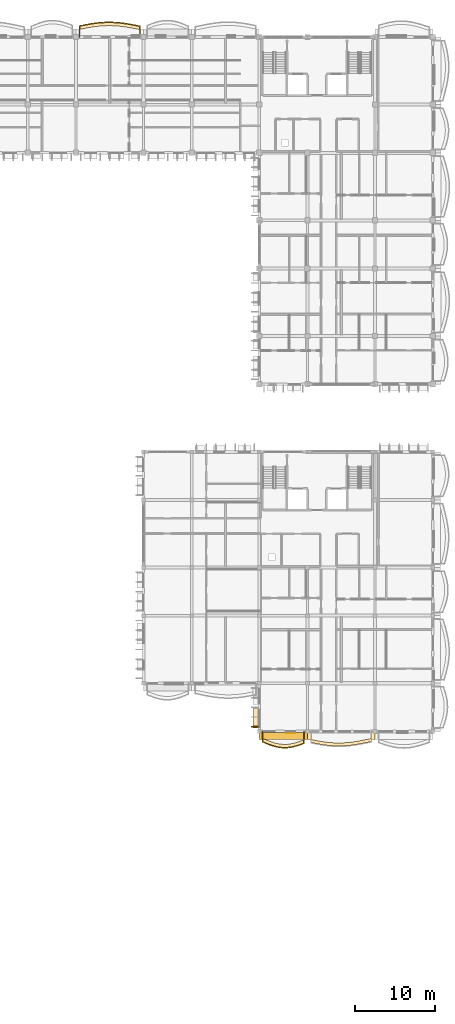
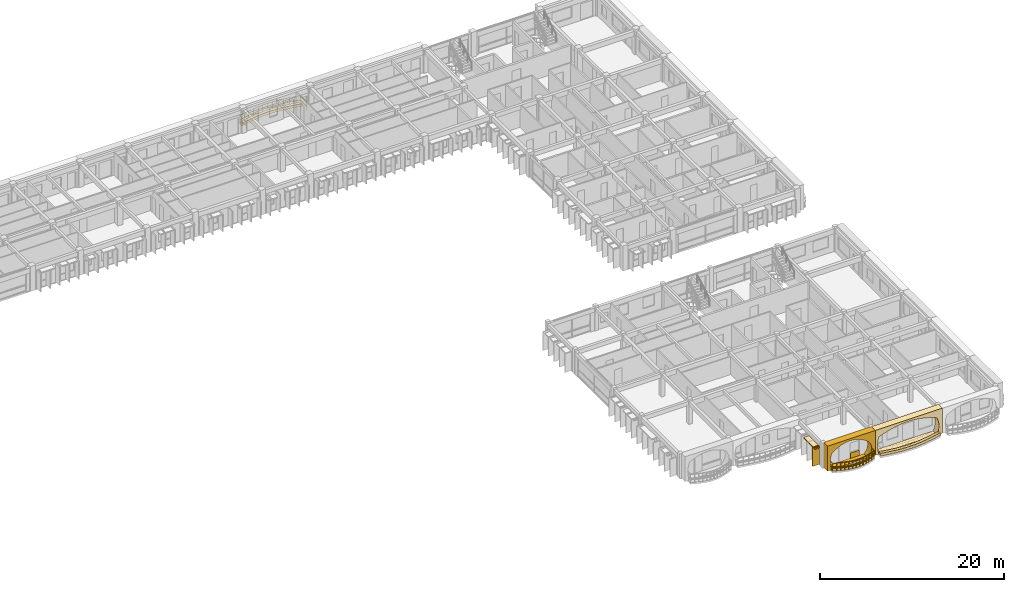
# One storey, part 65 of 76: 8 coverings, 2 railings.
"""IFC4 building model written with IfcOpenShell, lengths in metres."""

from ifc_helpers import new_model, si_unit, direction, frame, origin, origin_2d, place, context, subcontext, project, spatial, polyline, rectangle, outline, extrude, material, layer, layer_set, type_object, element, save


model = new_model("IFC4")

# Units and contexts
model_context = context("Model", 3, precision=1e-05, world=origin(), true_north=direction((0.0, 1.0)))
body_context = subcontext(model_context, "Body", "Model", "MODEL_VIEW")
ifc_project = project(units=[si_unit("LENGTHUNIT", "METRE"), si_unit("AREAUNIT", "SQUARE_METRE"), si_unit("VOLUMEUNIT", "CUBIC_METRE"), si_unit("PLANEANGLEUNIT", "RADIAN"), si_unit("MASSUNIT", "GRAM", prefix="KILO"), si_unit("THERMODYNAMICTEMPERATUREUNIT", "KELVIN")], contexts=[model_context])

# Site, building, storey
site_placement = place(None, origin())
site = spatial("IfcSite", under=ifc_project, at=site_placement, CompositionType="ELEMENT")
building_placement = place(site_placement, origin())
building = spatial("IfcBuilding", under=site, at=building_placement, Name="Thalorik Housing Commons", CompositionType="ELEMENT")
storey_placement = place(building_placement, frame((0.0, 0.0, 18.0)))
storey = spatial("IfcBuildingStorey", under=building, at=storey_placement, Name="L05", CompositionType="ELEMENT", Elevation=18.0)

# Coverings
ifc_material_1 = material(Name="Precast concrete C40/50", Category="concrete")
ifc_layer_1 = layer(ifc_material_1, 0.85009765625, Name="Precast concrete C40/50", Category="concrete")
ifc_layer_set_1 = layer_set([ifc_layer_1], Name="Precast concrete C40/50")
covering_type_1 = type_object("IfcCoveringType", Name="ARC-CLD-CUSH-850", PredefinedType="CLADDING", material=ifc_layer_set_1)
covering_1_placement = place(storey_placement, frame((155.39990234375, 36.64501953125, 0.0), z_axis=(0.0, 0.0, 1.0), x_axis=(1.0, 0.0, 0.0)))
element("IfcCovering", 1, at=covering_1_placement, inside=storey, type_object=covering_type_1, Name="L05 White Precast Curved Cushion Bay Frame 4887", PredefinedType="CLADDING", context=body_context, shape_type="SweptSolid", body=[
    extrude(outline(polyline([(-3.0, 0.0), (3.0, 0.0), (3.0, 3.300048828125), (-3.0, 3.300048828125), (-3.0, 0.0)]), holes=[polyline([(2.0400390625, 0.02490234375), (2.3232421875, 0.387451171875), (2.493408203125, 0.75), (2.550048828125, 1.112548828125), (2.493408203125, 1.47509765625), (2.3232421875, 1.83740234375), (2.0400390625, 2.199951171875), (1.66748046875, 2.455810546875), (1.294921875, 2.656494140625), (0.922607421875, 2.819091796875), (0.550048828125, 2.940185546875), (0.177490234375, 3.014892578125), (-0.195068359375, 3.0400390625), (-0.5673828125, 3.014892578125), (-0.93994140625, 2.940185546875), (-1.3125, 2.819091796875), (-1.68505859375, 2.656494140625), (-2.0576171875, 2.455810546875), (-2.429931640625, 2.199951171875), (-2.55029296875, 1.83740234375), (-2.62255859375, 1.47509765625), (-2.646484375, 1.112548828125), (-2.62255859375, 0.75), (-2.55029296875, 0.387451171875), (-2.429931640625, 0.02490234375), (2.0400390625, 0.02490234375)])]), frame((0.0, 0.425048828125, 0.0), z_axis=(0.0, -1.0, 0.0), x_axis=(1.0, 0.0, 0.0)), (0.0, 0.0, 1.0), 0.85009765625),
])
covering_2_placement = place(storey_placement, frame((162.60009765625, 36.64501953125, 0.0), z_axis=(0.0, 0.0, 1.0), x_axis=(1.0, 0.0, 0.0)))
element("IfcCovering", 2, at=covering_2_placement, inside=storey, type_object=covering_type_1, Name="L05 White Precast Curved Cushion Bay Frame 4889", PredefinedType="CLADDING", context=body_context, shape_type="SweptSolid", body=[
    extrude(outline(polyline([(-4.199951171875, 0.0), (4.199951171875, 0.0), (4.199951171875, 3.300048828125), (-4.199951171875, 3.300048828125), (-4.199951171875, 0.0)]), holes=[polyline([(3.510009765625, 0.02490234375), (3.65576171875, 0.399169921875), (3.7431640625, 0.773193359375), (3.772216796875, 1.1474609375), (3.7431640625, 1.521728515625), (3.65576171875, 1.895751953125), (3.510009765625, 2.27001953125), (2.90380859375, 2.50439453125), (2.297607421875, 2.6884765625), (1.691162109375, 2.837646484375), (1.0849609375, 2.948486328125), (0.478759765625, 3.016845703125), (-0.12744140625, 3.0400390625), (-0.73388671875, 3.016845703125), (-1.340087890625, 2.948486328125), (-1.9462890625, 2.837646484375), (-2.552490234375, 2.6884765625), (-3.15869140625, 2.50439453125), (-3.764892578125, 2.27001953125), (-3.856689453125, 1.895751953125), (-3.911865234375, 1.521728515625), (-3.930419921875, 1.1474609375), (-3.911865234375, 0.773193359375), (-3.856689453125, 0.399169921875), (-3.764892578125, 0.02490234375), (3.510009765625, 0.02490234375)])]), frame((0.0, 0.425048828125, 0.0), z_axis=(0.0, -1.0, 0.0), x_axis=(1.0, 0.0, 0.0)), (0.0, 0.0, 1.0), 0.85009765625),
])
ifc_layer_2 = layer(ifc_material_1, 0.85009765625, Name="Precast concrete C40/50", Category="concrete")
ifc_layer_set_2 = layer_set([ifc_layer_2], Name="Precast concrete C40/50")
covering_type_2 = type_object("IfcCoveringType", Name="ARC-CLD-FIN-850", PredefinedType="CLADDING", material=ifc_layer_set_2)
covering_3_placement = place(storey_placement, frame((151.844970703125, 37.800048828125, 0.0400390625), z_axis=(0.0, 0.0, 1.0), x_axis=(0.0, -1.0, 0.0)))
element("IfcCovering", 3, at=covering_3_placement, inside=storey, type_object=covering_type_2, Name="L05 Courtyard Precast Vertical Brise-Soleil Fin 4884", PredefinedType="CLADDING", context=body_context, shape_type="SweptSolid", body=[
    extrude(rectangle(XDim=0.110107421875, YDim=0.85009765625, at=origin_2d()), origin(), (0.0, 0.0, 1.0), 2.4951171875),
])
ifc_layer_3 = layer(ifc_material_1, 0.64990234375, Name="Precast concrete C40/50", Category="concrete")
ifc_layer_set_3 = layer_set([ifc_layer_3], Name="Precast concrete C40/50")
covering_type_3 = type_object("IfcCoveringType", Name="ARC-CLD-HOOD-650", PredefinedType="CLADDING", material=ifc_layer_set_3)
covering_4_placement = place(storey_placement, frame((151.945068359375, 38.830078125, 2.2900390625), z_axis=(0.0, 0.0, 1.0), x_axis=(0.0, -1.0, 0.0)))
element("IfcCovering", 4, at=covering_4_placement, inside=storey, type_object=covering_type_3, Name="L05 Courtyard Precast Window Sun-Hood 4886", PredefinedType="CLADDING", context=body_context, shape_type="SweptSolid", body=[
    extrude(rectangle(XDim=2.43994140625, YDim=0.64990234375, at=origin_2d()), origin(), (0.0, 0.0, 1.0), 0.139892578125),
])
ifc_material_2 = material(Name="Mineral ochre architectural terracotta panel", Category="masonry")
ifc_layer_4 = layer(ifc_material_2, 0.06494140625, Name="Mineral ochre architectural terracotta panel", Category="masonry")
ifc_layer_set_4 = layer_set([ifc_layer_4], Name="Mineral ochre architectural terracotta panel")
covering_type_4 = type_object("IfcCoveringType", Name="ARC-CLD-YEL-65", PredefinedType="CLADDING", material=ifc_layer_set_4)
covering_5_placement = place(storey_placement, frame((156.2900390625, 37.032470703125, 0.0498046875), z_axis=(0.0, 0.0, 1.0), x_axis=(1.0, 0.0, 0.0)))
element("IfcCovering", 5, at=covering_5_placement, inside=storey, type_object=covering_type_4, Name="L05 De Stijl Recessed Window Spandrel 4888", PredefinedType="CLADDING", context=body_context, shape_type="SweptSolid", body=[
    extrude(rectangle(XDim=1.14990234375, YDim=0.06494140625, at=origin_2d()), origin(), (0.0, 0.0, 1.0), 0.699951171875),
])
ifc_material_3 = material(Name="Planted vegetated substrate and terracotta trough", Category="masonry")
ifc_layer_5 = layer(ifc_material_3, 0.340087890625, Name="Planted vegetated substrate and terracotta trough", Category="masonry")
ifc_layer_set_5 = layer_set([ifc_layer_5], Name="Planted vegetated substrate and terracotta trough")
covering_type_5 = type_object("IfcCoveringType", Name="ARC-COV-PLANTER", PredefinedType="USERDEFINED", material=ifc_layer_set_5)
covering_6_placement = place(storey_placement, origin())
element("IfcCovering", 6, at=covering_6_placement, inside=storey, type_object=covering_type_5, Name="L05 Balcony Slab-Edge Planted Trough 5475", ObjectType="PLANTER", PredefinedType="USERDEFINED", context=body_context, shape_type="SweptSolid", body=[
    extrude(outline(polyline([(137.580078125, 124.892822265625), (136.949951171875, 125.01904296875), (136.320068359375, 125.1376953125), (135.68994140625, 125.240234375), (135.06005859375, 125.3203125), (134.429931640625, 125.372314453125), (133.800048828125, 125.39306640625), (133.169921875, 125.380859375), (132.5400390625, 125.33642578125), (131.909912109375, 125.26318359375), (131.280029296875, 125.165283203125), (130.64990234375, 125.049560546875), (130.02001953125, 124.923583984375), (130.02001953125, 124.543701171875), (130.64990234375, 124.669677734375), (131.280029296875, 124.785400390625), (131.909912109375, 124.883056640625), (132.5400390625, 124.95654296875), (133.169921875, 125.000732421875), (133.800048828125, 125.012939453125), (134.429931640625, 124.992431640625), (135.06005859375, 124.940185546875), (135.68994140625, 124.8603515625), (136.320068359375, 124.757568359375), (136.949951171875, 124.63916015625), (137.580078125, 124.5126953125), (137.580078125, 124.892822265625)])), origin(), (0.0, 0.0, 1.0), 0.340087890625),
])
covering_7_placement = place(storey_placement, origin())
element("IfcCovering", 7, at=covering_7_placement, inside=storey, type_object=covering_type_5, Name="L05 Balcony Slab-Edge Planted Trough 5680", ObjectType="PLANTER", PredefinedType="USERDEFINED", context=body_context, shape_type="SweptSolid", body=[
    extrude(outline(polyline([(152.820068359375, 35.955078125), (153.25, 35.77587890625), (153.679931640625, 35.6064453125), (154.110107421875, 35.45751953125), (154.5400390625, 35.338134765625), (154.969970703125, 35.25634765625), (155.39990234375, 35.216552734375), (155.830078125, 35.22119140625), (156.260009765625, 35.26904296875), (156.68994140625, 35.356689453125), (157.1201171875, 35.4775390625), (157.550048828125, 35.62353515625), (157.97998046875, 35.78466796875), (157.97998046875, 36.16455078125), (157.550048828125, 36.003662109375), (157.1201171875, 35.857666015625), (156.68994140625, 35.736572265625), (156.260009765625, 35.64892578125), (155.830078125, 35.60107421875), (155.39990234375, 35.5966796875), (154.969970703125, 35.63623046875), (154.5400390625, 35.71826171875), (154.110107421875, 35.83740234375), (153.679931640625, 35.986328125), (153.25, 36.156005859375), (152.820068359375, 36.3349609375), (152.820068359375, 35.955078125)])), origin(), (0.0, 0.0, 1.0), 0.340087890625),
])
covering_8_placement = place(storey_placement, origin())
element("IfcCovering", 8, at=covering_8_placement, inside=storey, type_object=covering_type_5, Name="L05 Balcony Slab-Edge Planted Trough 5681", ObjectType="PLANTER", PredefinedType="USERDEFINED", context=body_context, shape_type="SweptSolid", body=[
    extrude(outline(polyline([(158.820068359375, 35.83349609375), (159.449951171875, 35.704345703125), (160.080078125, 35.5888671875), (160.7099609375, 35.494384765625), (161.340087890625, 35.427734375), (161.969970703125, 35.392822265625), (162.60009765625, 35.39208984375), (163.22998046875, 35.42529296875), (163.860107421875, 35.489990234375), (164.489990234375, 35.581787109375), (165.1201171875, 35.69482421875), (165.75, 35.821044921875), (166.3798828125, 35.9521484375), (166.3798828125, 36.332275390625), (165.75, 36.201171875), (165.1201171875, 36.07470703125), (164.489990234375, 35.9619140625), (163.860107421875, 35.8701171875), (163.22998046875, 35.80517578125), (162.60009765625, 35.772216796875), (161.969970703125, 35.77294921875), (161.340087890625, 35.807861328125), (160.7099609375, 35.87451171875), (160.080078125, 35.96875), (159.449951171875, 36.08447265625), (158.820068359375, 36.213623046875), (158.820068359375, 35.83349609375)])), origin(), (0.0, 0.0, 1.0), 0.340087890625),
])

# Railings
ifc_material_4 = material(Name="Steel S355", Category="steel")
railing_type_1 = type_object("IfcRailingType", Name="ARC-RL-BAL-112", PredefinedType="BALUSTRADE", material=ifc_material_4)
railing_1_placement = place(storey_placement, frame((152.820068359375, 37.199951171875, 0.0)))
element("IfcRailing", 9, at=railing_1_placement, inside=storey, type_object=railing_type_1, Name="L05 Cushion Balcony Guardrail 364", PredefinedType="BALUSTRADE", context=body_context, shape_type="SweptSolid", body=[
    extrude(rectangle(XDim=0.050048828125, YDim=0.050048828125, at=origin_2d()), frame((0.0, 0.0, 1.09521484375), z_axis=(0.0, -1.0, 0.0), x_axis=(1.0, 0.0, 0.0)), (0.0, 0.0, 1.0), 1.31494140625),
    extrude(rectangle(XDim=0.050048828125, YDim=0.050048828125, at=origin_2d()), frame((0.0, 0.0, 0.53515625), z_axis=(0.0, -1.0, 0.0), x_axis=(1.0, 0.0, 0.0)), (0.0, 0.0, 1.0), 1.31494140625),
    extrude(rectangle(XDim=0.050048828125, YDim=0.050048828125, at=origin_2d()), frame((0.0, -1.31494140625, 1.09521484375), z_axis=(0.923030394022, -0.384727035328, 0.0), x_axis=(0.384727035328, 0.923030394022, 0.0)), (0.0, 0.0, 1.0), 0.4658203125),
    extrude(rectangle(XDim=0.050048828125, YDim=0.050048828125, at=origin_2d()), frame((0.0, -1.31494140625, 0.53515625), z_axis=(0.923030394022, -0.384727035328, 0.0), x_axis=(0.384727035328, 0.923030394022, 0.0)), (0.0, 0.0, 1.0), 0.4658203125),
    extrude(rectangle(XDim=0.050048828125, YDim=0.050048828125, at=origin_2d()), frame((0.429931640625, -1.494140625, 1.09521484375), z_axis=(0.930359248825, -0.366649244, 0.0), x_axis=(0.366649244, 0.930359248825, 0.0)), (0.0, 0.0, 1.0), 0.462158203125),
    extrude(rectangle(XDim=0.050048828125, YDim=0.050048828125, at=origin_2d()), frame((0.429931640625, -1.494140625, 0.53515625), z_axis=(0.930359248825, -0.366649244, 0.0), x_axis=(0.366649244, 0.930359248825, 0.0)), (0.0, 0.0, 1.0), 0.462158203125),
    extrude(rectangle(XDim=0.050048828125, YDim=0.050048828125, at=origin_2d()), frame((0.85986328125, -1.66357421875, 1.09521484375), z_axis=(0.944973320371, -0.327147403761, 0.0), x_axis=(0.327147403761, 0.944973320371, 0.0)), (0.0, 0.0, 1.0), 0.455322265625),
    extrude(rectangle(XDim=0.050048828125, YDim=0.050048828125, at=origin_2d()), frame((0.85986328125, -1.66357421875, 0.53515625), z_axis=(0.944973320371, -0.327147403761, 0.0), x_axis=(0.327147403761, 0.944973320371, 0.0)), (0.0, 0.0, 1.0), 0.455322265625),
    extrude(rectangle(XDim=0.050048828125, YDim=0.050048828125, at=origin_2d()), frame((1.2900390625, -1.8125, 1.09521484375), z_axis=(0.963682368492, -0.267051104954, 0.0), x_axis=(0.267051104954, 0.963682368492, 0.0)), (0.0, 0.0, 1.0), 0.446044921875),
    extrude(rectangle(XDim=0.050048828125, YDim=0.050048828125, at=origin_2d()), frame((1.2900390625, -1.8125, 0.53515625), z_axis=(0.963682368492, -0.267051104954, 0.0), x_axis=(0.267051104954, 0.963682368492, 0.0)), (0.0, 0.0, 1.0), 0.446044921875),
    extrude(rectangle(XDim=0.050048828125, YDim=0.050048828125, at=origin_2d()), frame((1.719970703125, -1.931640625, 1.09521484375), z_axis=(0.98227993131, -0.18741968025, 0.0), x_axis=(0.18741968025, 0.98227993131, 0.0)), (0.0, 0.0, 1.0), 0.437744140625),
    extrude(rectangle(XDim=0.050048828125, YDim=0.050048828125, at=origin_2d()), frame((1.719970703125, -1.931640625, 0.53515625), z_axis=(0.98227993131, -0.18741968025, 0.0), x_axis=(0.18741968025, 0.98227993131, 0.0)), (0.0, 0.0, 1.0), 0.437744140625),
    extrude(rectangle(XDim=0.050048828125, YDim=0.050048828125, at=origin_2d()), frame((2.14990234375, -2.013671875, 1.09521484375), z_axis=(0.995743557497, -0.092167064095, 0.0), x_axis=(0.092167064095, 0.995743557497, 0.0)), (0.0, 0.0, 1.0), 0.431884765625),
    extrude(rectangle(XDim=0.050048828125, YDim=0.050048828125, at=origin_2d()), frame((2.14990234375, -2.013671875, 0.53515625), z_axis=(0.995743557497, -0.092167064095, 0.0), x_axis=(0.092167064095, 0.995743557497, 0.0)), (0.0, 0.0, 1.0), 0.431884765625),
    extrude(rectangle(XDim=0.050048828125, YDim=0.050048828125, at=origin_2d()), frame((2.579833984375, -2.053466796875, 1.09521484375), z_axis=(0.999941866359, 0.010782574041, 0.0), x_axis=(-0.010782574041, 0.999941866359, 0.0)), (0.0, 0.0, 1.0), 0.43017578125),
    extrude(rectangle(XDim=0.050048828125, YDim=0.050048828125, at=origin_2d()), frame((2.579833984375, -2.053466796875, 0.53515625), z_axis=(0.999941866359, 0.010782574041, 0.0), x_axis=(-0.010782574041, 0.999941866359, 0.0)), (0.0, 0.0, 1.0), 0.43017578125),
    extrude(rectangle(XDim=0.050048828125, YDim=0.050048828125, at=origin_2d()), frame((3.010009765625, -2.048828125, 1.09521484375), z_axis=(0.993863069462, 0.110617354693, 0.0), x_axis=(-0.110617354693, 0.993863069462, 0.0)), (0.0, 0.0, 1.0), 0.4326171875),
    extrude(rectangle(XDim=0.050048828125, YDim=0.050048828125, at=origin_2d()), frame((3.010009765625, -2.048828125, 0.53515625), z_axis=(0.993863069462, 0.110617354693, 0.0), x_axis=(-0.110617354693, 0.993863069462, 0.0)), (0.0, 0.0, 1.0), 0.4326171875),
    extrude(rectangle(XDim=0.050048828125, YDim=0.050048828125, at=origin_2d()), frame((3.43994140625, -2.0009765625, 1.09521484375), z_axis=(0.979846307498, 0.19975288154, 0.0), x_axis=(-0.19975288154, 0.979846307498, 0.0)), (0.0, 0.0, 1.0), 0.438720703125),
    extrude(rectangle(XDim=0.050048828125, YDim=0.050048828125, at=origin_2d()), frame((3.43994140625, -2.0009765625, 0.53515625), z_axis=(0.979846307498, 0.19975288154, 0.0), x_axis=(-0.19975288154, 0.979846307498, 0.0)), (0.0, 0.0, 1.0), 0.438720703125),
    extrude(rectangle(XDim=0.050048828125, YDim=0.050048828125, at=origin_2d()), frame((3.869873046875, -1.913330078125, 1.09521484375), z_axis=(0.962588621123, 0.270967057932, 0.0), x_axis=(-0.270967057932, 0.962588621123, 0.0)), (0.0, 0.0, 1.0), 0.44677734375),
    extrude(rectangle(XDim=0.050048828125, YDim=0.050048828125, at=origin_2d()), frame((3.869873046875, -1.913330078125, 0.53515625), z_axis=(0.962588621123, 0.270967057932, 0.0), x_axis=(-0.270967057932, 0.962588621123, 0.0)), (0.0, 0.0, 1.0), 0.44677734375),
    extrude(rectangle(XDim=0.050048828125, YDim=0.050048828125, at=origin_2d()), frame((4.300048828125, -1.792236328125, 1.09521484375), z_axis=(0.946893945051, 0.321546041533, 0.0), x_axis=(-0.321546041533, 0.946893945051, 0.0)), (0.0, 0.0, 1.0), 0.4541015625),
    extrude(rectangle(XDim=0.050048828125, YDim=0.050048828125, at=origin_2d()), frame((4.300048828125, -1.792236328125, 0.53515625), z_axis=(0.946893945051, 0.321546041533, 0.0), x_axis=(-0.321546041533, 0.946893945051, 0.0)), (0.0, 0.0, 1.0), 0.4541015625),
    extrude(rectangle(XDim=0.050048828125, YDim=0.050048828125, at=origin_2d()), frame((4.72998046875, -1.646240234375, 1.09521484375), z_axis=(0.936569378676, 0.350482237676, 0.0), x_axis=(-0.350482237676, 0.936569378676, 0.0)), (0.0, 0.0, 1.0), 0.458984375),
    extrude(rectangle(XDim=0.050048828125, YDim=0.050048828125, at=origin_2d()), frame((4.72998046875, -1.646240234375, 0.53515625), z_axis=(0.936569378676, 0.350482237676, 0.0), x_axis=(-0.350482237676, 0.936569378676, 0.0)), (0.0, 0.0, 1.0), 0.458984375),
    extrude(rectangle(XDim=0.050048828125, YDim=0.050048828125, at=origin_2d()), frame((5.159912109375, -1.4853515625, 1.09521484375), z_axis=(0.0, 1.0, 0.0), x_axis=(-1.0, 0.0, 0.0)), (0.0, 0.0, 1.0), 1.4853515625),
    extrude(rectangle(XDim=0.050048828125, YDim=0.050048828125, at=origin_2d()), frame((5.159912109375, -1.4853515625, 0.53515625), z_axis=(0.0, 1.0, 0.0), x_axis=(-1.0, 0.0, 0.0)), (0.0, 0.0, 1.0), 1.4853515625),
    extrude(rectangle(XDim=0.0419921875, YDim=0.0419921875, at=origin_2d()), origin(), (0.0, 0.0, 1.0), 1.070068359375),
    extrude(rectangle(XDim=0.0419921875, YDim=0.0419921875, at=origin_2d()), frame((0.0, -1.31494140625, 0.0)), (0.0, 0.0, 1.0), 1.070068359375),
    extrude(rectangle(XDim=0.0419921875, YDim=0.0419921875, at=origin_2d()), frame((0.429931640625, -1.494140625, 0.0)), (0.0, 0.0, 1.0), 1.070068359375),
    extrude(rectangle(XDim=0.0419921875, YDim=0.0419921875, at=origin_2d()), frame((0.85986328125, -1.66357421875, 0.0)), (0.0, 0.0, 1.0), 1.070068359375),
    extrude(rectangle(XDim=0.0419921875, YDim=0.0419921875, at=origin_2d()), frame((1.2900390625, -1.8125, 0.0)), (0.0, 0.0, 1.0), 1.070068359375),
    extrude(rectangle(XDim=0.0419921875, YDim=0.0419921875, at=origin_2d()), frame((1.719970703125, -1.931640625, 0.0)), (0.0, 0.0, 1.0), 1.070068359375),
    extrude(rectangle(XDim=0.0419921875, YDim=0.0419921875, at=origin_2d()), frame((2.14990234375, -2.013671875, 0.0)), (0.0, 0.0, 1.0), 1.070068359375),
    extrude(rectangle(XDim=0.0419921875, YDim=0.0419921875, at=origin_2d()), frame((2.579833984375, -2.053466796875, 0.0)), (0.0, 0.0, 1.0), 1.070068359375),
    extrude(rectangle(XDim=0.0419921875, YDim=0.0419921875, at=origin_2d()), frame((3.010009765625, -2.048828125, 0.0)), (0.0, 0.0, 1.0), 1.070068359375),
    extrude(rectangle(XDim=0.0419921875, YDim=0.0419921875, at=origin_2d()), frame((3.43994140625, -2.0009765625, 0.0)), (0.0, 0.0, 1.0), 1.070068359375),
    extrude(rectangle(XDim=0.0419921875, YDim=0.0419921875, at=origin_2d()), frame((3.869873046875, -1.913330078125, 0.0)), (0.0, 0.0, 1.0), 1.070068359375),
    extrude(rectangle(XDim=0.0419921875, YDim=0.0419921875, at=origin_2d()), frame((4.300048828125, -1.792236328125, 0.0)), (0.0, 0.0, 1.0), 1.070068359375),
    extrude(rectangle(XDim=0.0419921875, YDim=0.0419921875, at=origin_2d()), frame((4.72998046875, -1.646240234375, 0.0)), (0.0, 0.0, 1.0), 1.070068359375),
    extrude(rectangle(XDim=0.0419921875, YDim=0.0419921875, at=origin_2d()), frame((5.159912109375, -1.4853515625, 0.0)), (0.0, 0.0, 1.0), 1.070068359375),
    extrude(rectangle(XDim=0.0419921875, YDim=0.0419921875, at=origin_2d()), frame((5.159912109375, 0.0, 0.0)), (0.0, 0.0, 1.0), 1.070068359375),
])
railing_type_2 = type_object("IfcRailingType", Name="ARC-RL-BAL-115", PredefinedType="BALUSTRADE", material=ifc_material_4)
railing_2_placement = place(storey_placement, frame((137.580078125, 123.60009765625, 0.0)))
element("IfcRailing", 10, at=railing_2_placement, inside=storey, type_object=railing_type_2, Name="L05 Cushion Balcony Guardrail 159", PredefinedType="BALUSTRADE", context=body_context, shape_type="SweptSolid", body=[
    extrude(rectangle(XDim=0.050048828125, YDim=0.050048828125, at=origin_2d()), frame((0.0, 0.0, 1.125), z_axis=(0.0, 1.0, 0.0), x_axis=(-1.0, 0.0, 0.0)), (0.0, 0.0, 1.0), 1.36279296875),
    extrude(rectangle(XDim=0.050048828125, YDim=0.050048828125, at=origin_2d()), frame((0.0, 0.0, 0.5498046875), z_axis=(0.0, 1.0, 0.0), x_axis=(-1.0, 0.0, 0.0)), (0.0, 0.0, 1.0), 1.36279296875),
    extrude(rectangle(XDim=0.050048828125, YDim=0.050048828125, at=origin_2d()), frame((0.0, 1.36279296875, 1.125), z_axis=(-0.980522185975, 0.196408357284, 0.0), x_axis=(-0.196408357284, -0.980522185975, 0.0)), (0.0, 0.0, 1.0), 0.642578125),
    extrude(rectangle(XDim=0.050048828125, YDim=0.050048828125, at=origin_2d()), frame((0.0, 1.36279296875, 0.5498046875), z_axis=(-0.980522185975, 0.196408357284, 0.0), x_axis=(-0.196408357284, -0.980522185975, 0.0)), (0.0, 0.0, 1.0), 0.642578125),
    extrude(rectangle(XDim=0.050048828125, YDim=0.050048828125, at=origin_2d()), frame((-0.630126953125, 1.489013671875, 1.125), z_axis=(-0.982785832187, 0.184748499461, 0.0), x_axis=(-0.184748499461, -0.982785832187, 0.0)), (0.0, 0.0, 1.0), 0.640869140625),
    extrude(rectangle(XDim=0.050048828125, YDim=0.050048828125, at=origin_2d()), frame((-0.630126953125, 1.489013671875, 0.5498046875), z_axis=(-0.982785832187, 0.184748499461, 0.0), x_axis=(-0.184748499461, -0.982785832187, 0.0)), (0.0, 0.0, 1.0), 0.640869140625),
    extrude(rectangle(XDim=0.050048828125, YDim=0.050048828125, at=origin_2d()), frame((-1.260009765625, 1.607421875, 1.125), z_axis=(-0.98695644982, 0.160987472055, 0.0), x_axis=(-0.160987472055, -0.98695644982, 0.0)), (0.0, 0.0, 1.0), 0.638427734375),
    extrude(rectangle(XDim=0.050048828125, YDim=0.050048828125, at=origin_2d()), frame((-1.260009765625, 1.607421875, 0.5498046875), z_axis=(-0.98695644982, 0.160987472055, 0.0), x_axis=(-0.160987472055, -0.98695644982, 0.0)), (0.0, 0.0, 1.0), 0.638427734375),
    extrude(rectangle(XDim=0.050048828125, YDim=0.050048828125, at=origin_2d()), frame((-1.89013671875, 1.710205078125, 1.125), z_axis=(-0.992015413663, 0.126116688249, 0.0), x_axis=(-0.126116688249, -0.992015413663, 0.0)), (0.0, 0.0, 1.0), 0.635009765625),
    extrude(rectangle(XDim=0.050048828125, YDim=0.050048828125, at=origin_2d()), frame((-1.89013671875, 1.710205078125, 0.5498046875), z_axis=(-0.992015413663, 0.126116688249, 0.0), x_axis=(-0.126116688249, -0.992015413663, 0.0)), (0.0, 0.0, 1.0), 0.635009765625),
    extrude(rectangle(XDim=0.050048828125, YDim=0.050048828125, at=origin_2d()), frame((-2.52001953125, 1.790283203125, 1.125), z_axis=(-0.996612012858, 0.08224655511, 0.0), x_axis=(-0.08224655511, -0.996612012858, 0.0)), (0.0, 0.0, 1.0), 0.63232421875),
    extrude(rectangle(XDim=0.050048828125, YDim=0.050048828125, at=origin_2d()), frame((-2.52001953125, 1.790283203125, 0.5498046875), z_axis=(-0.996612012858, 0.08224655511, 0.0), x_axis=(-0.08224655511, -0.996612012858, 0.0)), (0.0, 0.0, 1.0), 0.63232421875),
    extrude(rectangle(XDim=0.050048828125, YDim=0.050048828125, at=origin_2d()), frame((-3.150146484375, 1.84228515625, 1.125), z_axis=(-0.999470404779, 0.0325408969, 0.0), x_axis=(-0.0325408969, -0.999470404779, 0.0)), (0.0, 0.0, 1.0), 0.630126953125),
    extrude(rectangle(XDim=0.050048828125, YDim=0.050048828125, at=origin_2d()), frame((-3.150146484375, 1.84228515625, 0.5498046875), z_axis=(-0.999470404779, 0.0325408969, 0.0), x_axis=(-0.0325408969, -0.999470404779, 0.0)), (0.0, 0.0, 1.0), 0.630126953125),
    extrude(rectangle(XDim=0.050048828125, YDim=0.050048828125, at=origin_2d()), frame((-3.780029296875, 1.86279296875, 1.125), z_axis=(-0.999812409092, -0.01936870223, 0.0), x_axis=(0.01936870223, -0.999812409092, 0.0)), (0.0, 0.0, 1.0), 0.630126953125),
    extrude(rectangle(XDim=0.050048828125, YDim=0.050048828125, at=origin_2d()), frame((-3.780029296875, 1.86279296875, 0.5498046875), z_axis=(-0.999812409092, -0.01936870223, 0.0), x_axis=(0.01936870223, -0.999812409092, 0.0)), (0.0, 0.0, 1.0), 0.630126953125),
    extrude(rectangle(XDim=0.050048828125, YDim=0.050048828125, at=origin_2d()), frame((-4.41015625, 1.8505859375, 1.125), z_axis=(-0.997548181954, -0.06998303137, 0.0), x_axis=(0.06998303137, -0.997548181954, 0.0)), (0.0, 0.0, 1.0), 0.63134765625),
    extrude(rectangle(XDim=0.050048828125, YDim=0.050048828125, at=origin_2d()), frame((-4.41015625, 1.8505859375, 0.5498046875), z_axis=(-0.997548181954, -0.06998303137, 0.0), x_axis=(0.06998303137, -0.997548181954, 0.0)), (0.0, 0.0, 1.0), 0.63134765625),
    extrude(rectangle(XDim=0.050048828125, YDim=0.050048828125, at=origin_2d()), frame((-5.0400390625, 1.806396484375, 1.125), z_axis=(-0.993268305841, -0.115836404517, 0.0), x_axis=(0.115836404517, -0.993268305841, 0.0)), (0.0, 0.0, 1.0), 0.63427734375),
    extrude(rectangle(XDim=0.050048828125, YDim=0.050048828125, at=origin_2d()), frame((-5.0400390625, 1.806396484375, 0.5498046875), z_axis=(-0.993268305841, -0.115836404517, 0.0), x_axis=(0.115836404517, -0.993268305841, 0.0)), (0.0, 0.0, 1.0), 0.63427734375),
    extrude(rectangle(XDim=0.050048828125, YDim=0.050048828125, at=origin_2d()), frame((-5.670166015625, 1.73291015625, 1.125), z_axis=(-0.988193907646, -0.153208357775, 0.0), x_axis=(0.153208357775, -0.988193907646, 0.0)), (0.0, 0.0, 1.0), 0.637451171875),
    extrude(rectangle(XDim=0.050048828125, YDim=0.050048828125, at=origin_2d()), frame((-5.670166015625, 1.73291015625, 0.5498046875), z_axis=(-0.988193907646, -0.153208357775, 0.0), x_axis=(0.153208357775, -0.988193907646, 0.0)), (0.0, 0.0, 1.0), 0.637451171875),
    extrude(rectangle(XDim=0.050048828125, YDim=0.050048828125, at=origin_2d()), frame((-6.300048828125, 1.63525390625, 1.125), z_axis=(-0.983551311417, -0.180628950644, 0.0), x_axis=(0.180628950644, -0.983551311417, 0.0)), (0.0, 0.0, 1.0), 0.640625),
    extrude(rectangle(XDim=0.050048828125, YDim=0.050048828125, at=origin_2d()), frame((-6.300048828125, 1.63525390625, 0.5498046875), z_axis=(-0.983551311417, -0.180628950644, 0.0), x_axis=(0.180628950644, -0.983551311417, 0.0)), (0.0, 0.0, 1.0), 0.640625),
    extrude(rectangle(XDim=0.050048828125, YDim=0.050048828125, at=origin_2d()), frame((-6.93017578125, 1.51953125, 1.125), z_axis=(-0.980580675691, -0.196116135138, 0.0), x_axis=(0.196116135138, -0.980580675691, 0.0)), (0.0, 0.0, 1.0), 0.642333984375),
    extrude(rectangle(XDim=0.050048828125, YDim=0.050048828125, at=origin_2d()), frame((-6.93017578125, 1.51953125, 0.5498046875), z_axis=(-0.980580675691, -0.196116135138, 0.0), x_axis=(0.196116135138, -0.980580675691, 0.0)), (0.0, 0.0, 1.0), 0.642333984375),
    extrude(rectangle(XDim=0.050048828125, YDim=0.050048828125, at=origin_2d()), frame((-7.56005859375, 1.3935546875, 1.125), z_axis=(0.0, -1.0, 0.0), x_axis=(1.0, 0.0, 0.0)), (0.0, 0.0, 1.0), 1.3935546875),
    extrude(rectangle(XDim=0.050048828125, YDim=0.050048828125, at=origin_2d()), frame((-7.56005859375, 1.3935546875, 0.5498046875), z_axis=(0.0, -1.0, 0.0), x_axis=(1.0, 0.0, 0.0)), (0.0, 0.0, 1.0), 1.3935546875),
    extrude(rectangle(XDim=0.0419921875, YDim=0.0419921875, at=origin_2d()), origin(), (0.0, 0.0, 1.0), 1.099853515625),
    extrude(rectangle(XDim=0.0419921875, YDim=0.0419921875, at=origin_2d()), frame((0.0, 1.36279296875, 0.0)), (0.0, 0.0, 1.0), 1.099853515625),
    extrude(rectangle(XDim=0.0419921875, YDim=0.0419921875, at=origin_2d()), frame((-0.630126953125, 1.489013671875, 0.0)), (0.0, 0.0, 1.0), 1.099853515625),
    extrude(rectangle(XDim=0.0419921875, YDim=0.0419921875, at=origin_2d()), frame((-1.260009765625, 1.607421875, 0.0)), (0.0, 0.0, 1.0), 1.099853515625),
    extrude(rectangle(XDim=0.0419921875, YDim=0.0419921875, at=origin_2d()), frame((-1.89013671875, 1.710205078125, 0.0)), (0.0, 0.0, 1.0), 1.099853515625),
    extrude(rectangle(XDim=0.0419921875, YDim=0.0419921875, at=origin_2d()), frame((-2.52001953125, 1.790283203125, 0.0)), (0.0, 0.0, 1.0), 1.099853515625),
    extrude(rectangle(XDim=0.0419921875, YDim=0.0419921875, at=origin_2d()), frame((-3.150146484375, 1.84228515625, 0.0)), (0.0, 0.0, 1.0), 1.099853515625),
    extrude(rectangle(XDim=0.0419921875, YDim=0.0419921875, at=origin_2d()), frame((-3.780029296875, 1.86279296875, 0.0)), (0.0, 0.0, 1.0), 1.099853515625),
    extrude(rectangle(XDim=0.0419921875, YDim=0.0419921875, at=origin_2d()), frame((-4.41015625, 1.8505859375, 0.0)), (0.0, 0.0, 1.0), 1.099853515625),
    extrude(rectangle(XDim=0.0419921875, YDim=0.0419921875, at=origin_2d()), frame((-5.0400390625, 1.806396484375, 0.0)), (0.0, 0.0, 1.0), 1.099853515625),
    extrude(rectangle(XDim=0.0419921875, YDim=0.0419921875, at=origin_2d()), frame((-5.670166015625, 1.73291015625, 0.0)), (0.0, 0.0, 1.0), 1.099853515625),
    extrude(rectangle(XDim=0.0419921875, YDim=0.0419921875, at=origin_2d()), frame((-6.300048828125, 1.63525390625, 0.0)), (0.0, 0.0, 1.0), 1.099853515625),
    extrude(rectangle(XDim=0.0419921875, YDim=0.0419921875, at=origin_2d()), frame((-6.93017578125, 1.51953125, 0.0)), (0.0, 0.0, 1.0), 1.099853515625),
    extrude(rectangle(XDim=0.0419921875, YDim=0.0419921875, at=origin_2d()), frame((-7.56005859375, 1.3935546875, 0.0)), (0.0, 0.0, 1.0), 1.099853515625),
    extrude(rectangle(XDim=0.0419921875, YDim=0.0419921875, at=origin_2d()), frame((-7.56005859375, 0.0, 0.0)), (0.0, 0.0, 1.0), 1.099853515625),
])

save(model, "model.ifc")
